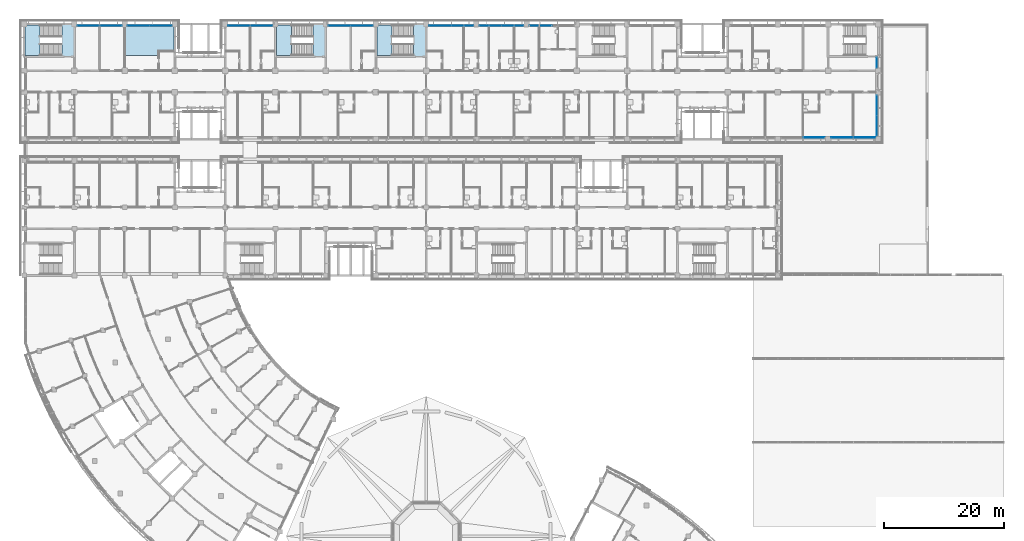
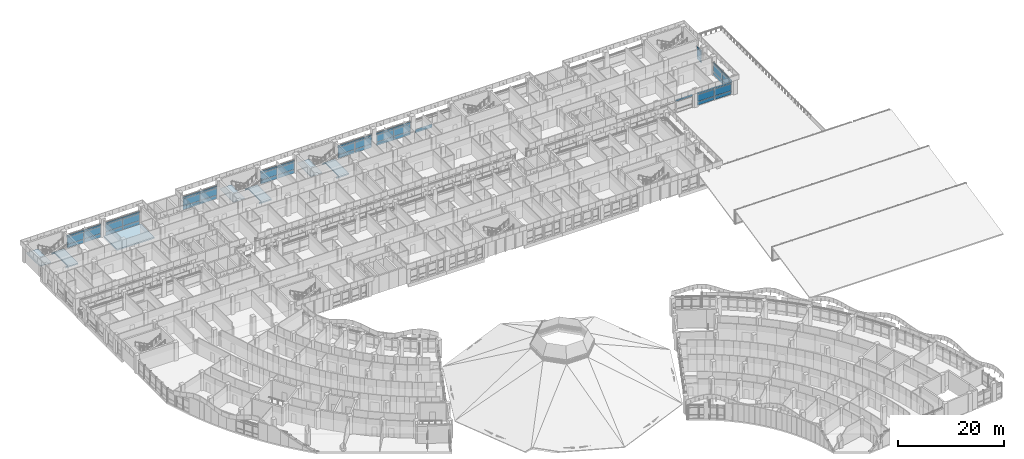
# One storey, part 61 of 137: 53 plates, 7 slabs, 14 elements without a shape of their own.
"""IFC4 building model written with IfcOpenShell, lengths in metres."""

import ifcopenshell
import ifcopenshell.guid

model = None  # the IFC model being written
_history = None  # IfcOwnerHistory: only IFC2X3 demands one
_inside = {}  # id of a spatial element -> (the spatial element, [elements in it])
_under = {}  # id of a project, library or spatial element -> (it, [spatial elements below it])
_declared = {}  # id of a project -> (the project, [libraries it declares])
_typed = {}  # id of a type object -> (the type object, [elements of that type])
_made_of = {}  # id of a material, layer set ... -> (it, [elements and type objects made of it])


def new_model(schema):
    """Start an empty IFC model of exactly this schema.

    Asked for "IFC4X3", IfcOpenShell would pick the latest addendum, in which some entities
    have other attributes; the version numbers below select the first issue.
    IFC2X3 requires an IfcOwnerHistory on every rooted entity: one is made here for all.
    """
    global model, _history
    if schema == "IFC4X3":
        model = ifcopenshell.file(schema_version=(4, 3, 0, 0))
    else:
        model = ifcopenshell.file(schema=schema)
    _inside.clear()
    _under.clear()
    _declared.clear()
    _typed.clear()
    _made_of.clear()
    _history = None
    if model.schema == "IFC2X3":
        org = make("IfcOrganization", Name="unknown")
        user = make(
            "IfcPersonAndOrganization",
            ThePerson=make("IfcPerson", FamilyName="unknown"),
            TheOrganization=org,
        )
        app = make(
            "IfcApplication",
            ApplicationDeveloper=org,
            Version="unknown",
            ApplicationFullName="unknown",
            ApplicationIdentifier="unknown",
        )
        _history = make(
            "IfcOwnerHistory",
            OwningUser=user,
            OwningApplication=app,
            ChangeAction="ADDED",
            CreationDate=0,
        )
    return model


def make(cls, **values):
    """One entity of the class cls with the attributes given. An attribute that is None is left unset."""
    return model.create_entity(
        cls, **{name: value for name, value in values.items() if value is not None}
    )


def rooted(cls, **values):
    """An entity with a GlobalId (a new one), such as an element, a storey or a relation."""
    return make(cls, GlobalId=ifcopenshell.guid.new(), OwnerHistory=_history, **values)


def si_unit(unit_type, name, prefix=None):
    """IfcSIUnit, for example si_unit("LENGTHUNIT", "METRE", prefix="MILLI")."""
    return make("IfcSIUnit", UnitType=unit_type, Prefix=prefix, Name=name)


def assignment(units):
    """IfcUnitAssignment: the units of a project."""
    return None if units is None else make("IfcUnitAssignment", Units=units)


def point(xyz):
    """IfcCartesianPoint."""
    return None if xyz is None else make("IfcCartesianPoint", Coordinates=xyz)


def direction(xyz):
    """IfcDirection."""
    return None if xyz is None else make("IfcDirection", DirectionRatios=xyz)


def frame(location, z_axis=None, x_axis=None):
    """IfcAxis2Placement3D, a coordinate frame: its origin and axes. An axis left out is left unset."""
    return make(
        "IfcAxis2Placement3D",
        Location=point(location),
        Axis=direction(z_axis),
        RefDirection=direction(x_axis),
    )


def frame_2d(location, x_axis=None):
    """IfcAxis2Placement2D, a coordinate frame in the plane: its origin and x axis."""
    return make(
        "IfcAxis2Placement2D", Location=point(location), RefDirection=direction(x_axis)
    )


def origin():
    """The frame at (0, 0, 0) with its axes left unset."""
    return frame((0.0, 0.0, 0.0))


def origin_2d():
    """The frame at (0, 0) in the plane with its x axis left unset."""
    return frame_2d((0.0, 0.0))


def place(relative_to, where):
    """IfcLocalPlacement: puts the frame where relative to a parent placement (None: the world)."""
    return make(
        "IfcLocalPlacement", PlacementRelTo=relative_to, RelativePlacement=where
    )


def context(
    kind, dimensions, precision=None, world=None, true_north=None, identifier=None
):
    """IfcGeometricRepresentationContext, for example the 3D "Model" context."""
    return make(
        "IfcGeometricRepresentationContext",
        ContextIdentifier=identifier,
        ContextType=kind,
        CoordinateSpaceDimension=dimensions,
        Precision=precision,
        WorldCoordinateSystem=world,
        TrueNorth=true_north,
    )


def subcontext(parent, identifier, kind, view, scale=None):
    """IfcGeometricRepresentationSubContext, for example "Body" below "Model"."""
    return make(
        "IfcGeometricRepresentationSubContext",
        ContextIdentifier=identifier,
        ContextType=kind,
        ParentContext=parent,
        TargetScale=scale,
        TargetView=view,
    )


def project(units=None, contexts=None):
    """IfcProject with its units and contexts."""
    return rooted(
        "IfcProject",
        Name="project",
        RepresentationContexts=contexts,
        UnitsInContext=assignment(units),
    )


def spatial(cls, under=None, at=None, **own):
    """A site, building, storey or space (cls), placed at a placement, below another one or the project."""
    s = rooted(cls, ObjectPlacement=at, **own)
    if under is not None:
        _under.setdefault(under.id(), (under, []))[1].append(s)
    return s


def polyline(points):
    """IfcPolyline through the points."""
    return make("IfcPolyline", Points=[point(p) for p in points])


def profile(cls, at=None, kind="AREA", **sizes):
    """A parametric profile (cls). Its sizes go by their IFC names, for example OverallWidth=200.0."""
    return make(cls, ProfileType=kind, Position=at, **sizes)


def rectangle(**sizes):
    """IfcRectangleProfileDef."""
    return profile("IfcRectangleProfileDef", **sizes)


def outline(outer, holes=None, kind="AREA"):
    """IfcArbitraryClosedProfileDef: a profile drawn as a closed curve; with holes, ...WithVoids."""
    if holes is None:
        return make("IfcArbitraryClosedProfileDef", ProfileType=kind, OuterCurve=outer)
    return make(
        "IfcArbitraryProfileDefWithVoids",
        ProfileType=kind,
        OuterCurve=outer,
        InnerCurves=holes,
    )


def extrude(swept, where, along, depth):
    """IfcExtrudedAreaSolid: the profile swept, set in the frame where, extruded along a direction by depth."""
    return make(
        "IfcExtrudedAreaSolid",
        SweptArea=swept,
        Position=where,
        ExtrudedDirection=direction(along),
        Depth=depth,
    )


def shape(context_of_items, identifier, shape_type, items):
    """IfcShapeRepresentation: the items that make up one representation, for example the "Body"."""
    return make(
        "IfcShapeRepresentation",
        ContextOfItems=context_of_items,
        RepresentationIdentifier=identifier,
        RepresentationType=shape_type,
        Items=items,
    )


def material(Name=None, Category=None):
    """IfcMaterial."""
    return make("IfcMaterial", Name=Name, Category=Category)


def layer(
    of_material, thickness, ventilated=None, Name=None, Category=None, Priority=None
):
    """IfcMaterialLayer: one layer of a wall or slab, of a material (None: an air gap)."""
    return make(
        "IfcMaterialLayer",
        Material=of_material,
        LayerThickness=thickness,
        IsVentilated=ventilated,
        Name=Name,
        Category=Category,
        Priority=Priority,
    )


def layer_set(layers, Name=None):
    """IfcMaterialLayerSet."""
    return make("IfcMaterialLayerSet", MaterialLayers=layers, LayerSetName=Name)


def made_of(thing, what):
    """Note that an element or type object is made of a material, layer set ...; save() writes the relation."""
    if what is not None:
        _made_of.setdefault(what.id(), (what, []))[1].append(thing)
    return thing


def type_object(cls, material=None, **own):
    """A type object (cls), such as IfcWallType, which elements share."""
    return made_of(rooted(cls, **own), material)


def element(
    cls,
    number,
    at=None,
    inside=None,
    cuts=None,
    type_object=None,
    material=None,
    context=None,
    identifier="Body",
    shape_type=None,
    held_by="IfcProductDefinitionShape",
    body=None,
    shapes=None,
    **own,
):
    """One element of the class cls, such as IfcWall. Its Tag is "e" and its number.

    at: its placement. inside: the storey or other place that contains it. cuts: it is an
    opening in that element (IfcRelVoidsElement). A single representation is given by context,
    identifier, shape_type and body (its items); several are given by shapes. held_by: the class
    of the entity that holds the representations. save() writes the other relations.
    """
    e = rooted(cls, Tag="e%d" % number, ObjectPlacement=at, **own)
    if body is not None:
        shapes = [shape(context, identifier, shape_type, body)]
    if shapes is not None:
        e.Representation = make(held_by, Representations=shapes)
    if inside is not None:
        _inside.setdefault(inside.id(), (inside, []))[1].append(e)
    if cuts is not None:
        rooted(
            "IfcRelVoidsElement", RelatingBuildingElement=cuts, RelatedOpeningElement=e
        )
    if type_object is not None:
        _typed.setdefault(type_object.id(), (type_object, []))[1].append(e)
    return made_of(e, material)


def aggregate(whole, parts):
    """IfcRelAggregates: a whole, such as a stair, and the parts it consists of."""
    return rooted("IfcRelAggregates", RelatingObject=whole, RelatedObjects=parts)


def save(model, path):
    """Write the relations noted so far, then the file.

    IfcRelAggregates (storeys below a building ...), IfcRelContainedInSpatialStructure (elements
    in a storey), IfcRelDefinesByType, IfcRelAssociatesMaterial and IfcRelDeclares: one each for
    every whole, place, type object, material and project.
    """
    for whole, parts in _under.values():
        aggregate(whole, parts)
    for where, things in _inside.values():
        rooted(
            "IfcRelContainedInSpatialStructure",
            RelatedElements=things,
            RelatingStructure=where,
        )
    for kind, things in _typed.values():
        rooted("IfcRelDefinesByType", RelatedObjects=things, RelatingType=kind)
    for what, things in _made_of.values():
        rooted("IfcRelAssociatesMaterial", RelatedObjects=things, RelatingMaterial=what)
    for by, libraries in _declared.values():
        rooted("IfcRelDeclares", RelatingContext=by, RelatedDefinitions=libraries)
    model.write(path)


model = new_model("IFC4")

# Units and contexts
model_context = context("Model", 3, precision=1e-05, world=origin(), true_north=direction((0.0, 1.0)))
body_context = subcontext(model_context, "Body", "Model", "MODEL_VIEW")
ifc_project = project(units=[si_unit("LENGTHUNIT", "METRE"), si_unit("AREAUNIT", "SQUARE_METRE"), si_unit("VOLUMEUNIT", "CUBIC_METRE"), si_unit("PLANEANGLEUNIT", "RADIAN"), si_unit("MASSUNIT", "GRAM", prefix="KILO")], contexts=[model_context])

# Site, building, storey
site_placement = place(None, origin())
site = spatial("IfcSite", under=ifc_project, at=site_placement, CompositionType="ELEMENT")
building_placement = place(site_placement, origin())
building = spatial("IfcBuilding", under=site, at=building_placement, Name="Bougainvillea Quay General Hospital", CompositionType="ELEMENT")
storey_placement = place(building_placement, frame((0.0, 0.0, 16.800048828125)))
storey = spatial("IfcBuildingStorey", under=building, at=storey_placement, Name="L03", CompositionType="ELEMENT", Elevation=16.800048828125)

# Curtain wall, plate
ifc_material_1 = material(Name="Aluminium curtain wall system, powder-coated glazed", Category="aluminium")
curtain_wall_type_1 = type_object("IfcCurtainWallType", Name="Unitised curtain wall CW-3730", PredefinedType="NOTDEFINED", material=ifc_material_1)
curtain_wall_1_placement = place(storey_placement, origin())
curtain_wall_1 = element("IfcCurtainWall", 1, at=curtain_wall_1_placement, inside=storey, type_object=curtain_wall_type_1, Name="CW-4200 01", PredefinedType="NOTDEFINED")
ifc_material_2 = material(Name="Insulated aluminium spandrel panel, white", Category="aluminium")
ifc_layer_1 = layer(ifc_material_2, 0.028076171875)
ifc_layer_set_1 = layer_set([ifc_layer_1], Name="Insulated aluminium spandrel panel, white")
plate_type_1 = type_object("IfcPlateType", Name="Insulated spandrel panel white 28", PredefinedType="CURTAIN_PANEL", material=ifc_layer_set_1)
plate_1_placement = place(storey_placement, frame((174.050048828125, 140.64990234375, 2.580078125), z_axis=(0.0, 0.0, 1.0), x_axis=(1.0, 0.0, 0.0)))
plate_1 = element("IfcPlate", 2, at=plate_1_placement, type_object=plate_type_1, Name="CW-4200 spandrel panel 2.3", PredefinedType="CURTAIN_PANEL", context=body_context, shape_type="SweptSolid", body=[
    extrude(rectangle(XDim=3.639892578125, YDim=0.028076171875, at=origin_2d()), origin(), (0.0, 0.0, 1.0), 0.409912109375),
])
aggregate(curtain_wall_1, [plate_1])

# Curtain wall, plates
curtain_wall_2_placement = place(storey_placement, origin())
curtain_wall_2 = element("IfcCurtainWall", 3, at=curtain_wall_2_placement, inside=storey, type_object=curtain_wall_type_1, Name="CW-4200 02", PredefinedType="NOTDEFINED")
plate_2_placement = place(storey_placement, frame((178.75, 140.64990234375, 0.059814453125), z_axis=(0.0, 0.0, 1.0), x_axis=(1.0, 0.0, 0.0)))
plate_2 = element("IfcPlate", 4, at=plate_2_placement, type_object=plate_type_1, Name="CW-4200 spandrel panel 1.1", PredefinedType="CURTAIN_PANEL", context=body_context, shape_type="SweptSolid", body=[
    extrude(rectangle(XDim=3.639892578125, YDim=0.028076171875, at=origin_2d()), origin(), (0.0, 0.0, 1.0), 0.81005859375),
])
plate_3_placement = place(storey_placement, frame((178.75, 140.64990234375, 2.580078125), z_axis=(0.0, 0.0, 1.0), x_axis=(1.0, 0.0, 0.0)))
plate_3 = element("IfcPlate", 5, at=plate_3_placement, type_object=plate_type_1, Name="CW-4200 spandrel panel 1.3", PredefinedType="CURTAIN_PANEL", context=body_context, shape_type="SweptSolid", body=[
    extrude(rectangle(XDim=3.639892578125, YDim=0.028076171875, at=origin_2d()), origin(), (0.0, 0.0, 1.0), 0.409912109375),
])
plate_4_placement = place(storey_placement, frame((182.449951171875, 140.64990234375, 0.059814453125), z_axis=(0.0, 0.0, 1.0), x_axis=(1.0, 0.0, 0.0)))
plate_4 = element("IfcPlate", 6, at=plate_4_placement, type_object=plate_type_1, Name="CW-4200 spandrel panel 2.1", PredefinedType="CURTAIN_PANEL", context=body_context, shape_type="SweptSolid", body=[
    extrude(rectangle(XDim=3.639892578125, YDim=0.028076171875, at=origin_2d()), origin(), (0.0, 0.0, 1.0), 0.81005859375),
])
plate_5_placement = place(storey_placement, frame((182.449951171875, 140.64990234375, 2.580078125), z_axis=(0.0, 0.0, 1.0), x_axis=(1.0, 0.0, 0.0)))
plate_5 = element("IfcPlate", 7, at=plate_5_placement, type_object=plate_type_1, Name="CW-4200 spandrel panel 2.3", PredefinedType="CURTAIN_PANEL", context=body_context, shape_type="SweptSolid", body=[
    extrude(rectangle(XDim=3.639892578125, YDim=0.028076171875, at=origin_2d()), origin(), (0.0, 0.0, 1.0), 0.409912109375),
])

curtain_wall_type_2 = type_object("IfcCurtainWallType", Name="Unitised curtain wall CW-3430", PredefinedType="NOTDEFINED", material=ifc_material_1)
curtain_wall_3_placement = place(storey_placement, origin())
curtain_wall_3 = element("IfcCurtainWall", 8, at=curtain_wall_3_placement, inside=storey, type_object=curtain_wall_type_2, Name="CW-4200 00", PredefinedType="NOTDEFINED")
plate_6_placement = place(storey_placement, frame((184.550048828125, 142.60009765625, 0.059814453125), z_axis=(0.0, 0.0, 1.0), x_axis=(0.0, 1.0, 0.0)))
plate_6 = element("IfcPlate", 9, at=plate_6_placement, type_object=plate_type_1, Name="CW-4200 spandrel panel 1.1", PredefinedType="CURTAIN_PANEL", context=body_context, shape_type="SweptSolid", body=[
    extrude(rectangle(XDim=3.340087890625, YDim=0.028076171875, at=origin_2d()), origin(), (0.0, 0.0, 1.0), 0.81005859375),
])
plate_7_placement = place(storey_placement, frame((184.550048828125, 142.60009765625, 2.580078125), z_axis=(0.0, 0.0, 1.0), x_axis=(0.0, 1.0, 0.0)))
plate_7 = element("IfcPlate", 10, at=plate_7_placement, type_object=plate_type_1, Name="CW-4200 spandrel panel 1.3", PredefinedType="CURTAIN_PANEL", context=body_context, shape_type="SweptSolid", body=[
    extrude(rectangle(XDim=3.340087890625, YDim=0.028076171875, at=origin_2d()), origin(), (0.0, 0.0, 1.0), 0.409912109375),
])
plate_8_placement = place(storey_placement, frame((184.550048828125, 146.0, 0.059814453125), z_axis=(0.0, 0.0, 1.0), x_axis=(0.0, 1.0, 0.0)))
plate_8 = element("IfcPlate", 11, at=plate_8_placement, type_object=plate_type_1, Name="CW-4200 spandrel panel 2.1", PredefinedType="CURTAIN_PANEL", context=body_context, shape_type="SweptSolid", body=[
    extrude(rectangle(XDim=3.340087890625, YDim=0.028076171875, at=origin_2d()), origin(), (0.0, 0.0, 1.0), 0.81005859375),
])
plate_9_placement = place(storey_placement, frame((184.550048828125, 146.0, 2.580078125), z_axis=(0.0, 0.0, 1.0), x_axis=(0.0, 1.0, 0.0)))
plate_9 = element("IfcPlate", 12, at=plate_9_placement, type_object=plate_type_1, Name="CW-4200 spandrel panel 2.3", PredefinedType="CURTAIN_PANEL", context=body_context, shape_type="SweptSolid", body=[
    extrude(rectangle(XDim=3.340087890625, YDim=0.028076171875, at=origin_2d()), origin(), (0.0, 0.0, 1.0), 0.409912109375),
])

curtain_wall_type_3 = type_object("IfcCurtainWallType", Name="Unitised curtain wall CW-1755", PredefinedType="NOTDEFINED", material=ifc_material_1)
curtain_wall_4_placement = place(storey_placement, origin())
curtain_wall_4 = element("IfcCurtainWall", 13, at=curtain_wall_4_placement, inside=storey, type_object=curtain_wall_type_3, Name="CW-4200 02", PredefinedType="NOTDEFINED")
plate_10_placement = place(storey_placement, frame((184.550048828125, 153.1474609375, 0.059814453125), z_axis=(0.0, 0.0, 1.0), x_axis=(0.0, 1.0, 0.0)))
plate_10 = element("IfcPlate", 14, at=plate_10_placement, type_object=plate_type_1, Name="CW-4200 spandrel panel 1.1", PredefinedType="CURTAIN_PANEL", context=body_context, shape_type="SweptSolid", body=[
    extrude(rectangle(XDim=1.635009765625, YDim=0.028076171875, at=origin_2d()), origin(), (0.0, 0.0, 1.0), 0.81005859375),
])
plate_11_placement = place(storey_placement, frame((184.550048828125, 153.1474609375, 2.580078125), z_axis=(0.0, 0.0, 1.0), x_axis=(0.0, 1.0, 0.0)))
plate_11 = element("IfcPlate", 15, at=plate_11_placement, type_object=plate_type_1, Name="CW-4200 spandrel panel 1.3", PredefinedType="CURTAIN_PANEL", context=body_context, shape_type="SweptSolid", body=[
    extrude(rectangle(XDim=1.635009765625, YDim=0.028076171875, at=origin_2d()), origin(), (0.0, 0.0, 1.0), 0.409912109375),
])

# Curtain wall, plate
curtain_wall_5_placement = place(storey_placement, origin())
curtain_wall_5 = element("IfcCurtainWall", 16, at=curtain_wall_5_placement, inside=storey, type_object=curtain_wall_type_1, Name="CW-4200 01", PredefinedType="NOTDEFINED")
plate_12_placement = place(storey_placement, frame((128.35009765625, 159.35009765625, 0.059814453125), z_axis=(0.0, 0.0, 1.0), x_axis=(-1.0, 0.0, 0.0)))
plate_12 = element("IfcPlate", 17, at=plate_12_placement, type_object=plate_type_1, Name="CW-4200 spandrel panel 2.1", PredefinedType="CURTAIN_PANEL", context=body_context, shape_type="SweptSolid", body=[
    extrude(rectangle(XDim=3.639892578125, YDim=0.028076171875, at=origin_2d()), origin(), (0.0, 0.0, 1.0), 0.81005859375),
])
aggregate(curtain_wall_5, [plate_12])

# Curtain wall, plates
curtain_wall_6_placement = place(storey_placement, origin())
curtain_wall_6 = element("IfcCurtainWall", 18, at=curtain_wall_6_placement, inside=storey, type_object=curtain_wall_type_1, Name="CW-4200 02", PredefinedType="NOTDEFINED")
plate_13_placement = place(storey_placement, frame((123.64990234375, 159.35009765625, 0.059814453125), z_axis=(0.0, 0.0, 1.0), x_axis=(-1.0, 0.0, 0.0)))
plate_13 = element("IfcPlate", 19, at=plate_13_placement, type_object=plate_type_1, Name="CW-4200 spandrel panel 1.1", PredefinedType="CURTAIN_PANEL", context=body_context, shape_type="SweptSolid", body=[
    extrude(rectangle(XDim=3.639892578125, YDim=0.028076171875, at=origin_2d()), origin(), (0.0, 0.0, 1.0), 0.81005859375),
])
plate_14_placement = place(storey_placement, frame((123.64990234375, 159.35009765625, 2.580078125), z_axis=(0.0, 0.0, 1.0), x_axis=(-1.0, 0.0, 0.0)))
plate_14 = element("IfcPlate", 20, at=plate_14_placement, type_object=plate_type_1, Name="CW-4200 spandrel panel 1.3", PredefinedType="CURTAIN_PANEL", context=body_context, shape_type="SweptSolid", body=[
    extrude(rectangle(XDim=3.639892578125, YDim=0.028076171875, at=origin_2d()), origin(), (0.0, 0.0, 1.0), 0.409912109375),
])
plate_15_placement = place(storey_placement, frame((119.949951171875, 159.35009765625, 0.059814453125), z_axis=(0.0, 0.0, 1.0), x_axis=(-1.0, 0.0, 0.0)))
plate_15 = element("IfcPlate", 21, at=plate_15_placement, type_object=plate_type_1, Name="CW-4200 spandrel panel 2.1", PredefinedType="CURTAIN_PANEL", context=body_context, shape_type="SweptSolid", body=[
    extrude(rectangle(XDim=3.639892578125, YDim=0.028076171875, at=origin_2d()), origin(), (0.0, 0.0, 1.0), 0.81005859375),
])
plate_16_placement = place(storey_placement, frame((119.949951171875, 159.35009765625, 2.580078125), z_axis=(0.0, 0.0, 1.0), x_axis=(-1.0, 0.0, 0.0)))
plate_16 = element("IfcPlate", 22, at=plate_16_placement, type_object=plate_type_1, Name="CW-4200 spandrel panel 2.3", PredefinedType="CURTAIN_PANEL", context=body_context, shape_type="SweptSolid", body=[
    extrude(rectangle(XDim=3.639892578125, YDim=0.028076171875, at=origin_2d()), origin(), (0.0, 0.0, 1.0), 0.409912109375),
])

curtain_wall_7_placement = place(storey_placement, origin())
curtain_wall_7 = element("IfcCurtainWall", 23, at=curtain_wall_7_placement, inside=storey, type_object=curtain_wall_type_1, Name="CW-4200 03", PredefinedType="NOTDEFINED")
plate_17_placement = place(storey_placement, frame((115.25, 159.35009765625, 0.059814453125), z_axis=(0.0, 0.0, 1.0), x_axis=(-1.0, 0.0, 0.0)))
plate_17 = element("IfcPlate", 24, at=plate_17_placement, type_object=plate_type_1, Name="CW-4200 spandrel panel 1.1", PredefinedType="CURTAIN_PANEL", context=body_context, shape_type="SweptSolid", body=[
    extrude(rectangle(XDim=3.639892578125, YDim=0.028076171875, at=origin_2d()), origin(), (0.0, 0.0, 1.0), 0.81005859375),
])
plate_18_placement = place(storey_placement, frame((115.25, 159.35009765625, 2.580078125), z_axis=(0.0, 0.0, 1.0), x_axis=(-1.0, 0.0, 0.0)))
plate_18 = element("IfcPlate", 25, at=plate_18_placement, type_object=plate_type_1, Name="CW-4200 spandrel panel 1.3", PredefinedType="CURTAIN_PANEL", context=body_context, shape_type="SweptSolid", body=[
    extrude(rectangle(XDim=3.639892578125, YDim=0.028076171875, at=origin_2d()), origin(), (0.0, 0.0, 1.0), 0.409912109375),
])
plate_19_placement = place(storey_placement, frame((111.550048828125, 159.35009765625, 0.059814453125), z_axis=(0.0, 0.0, 1.0), x_axis=(-1.0, 0.0, 0.0)))
plate_19 = element("IfcPlate", 26, at=plate_19_placement, type_object=plate_type_1, Name="CW-4200 spandrel panel 2.1", PredefinedType="CURTAIN_PANEL", context=body_context, shape_type="SweptSolid", body=[
    extrude(rectangle(XDim=3.639892578125, YDim=0.028076171875, at=origin_2d()), origin(), (0.0, 0.0, 1.0), 0.81005859375),
])
plate_20_placement = place(storey_placement, frame((111.550048828125, 159.35009765625, 2.580078125), z_axis=(0.0, 0.0, 1.0), x_axis=(-1.0, 0.0, 0.0)))
plate_20 = element("IfcPlate", 27, at=plate_20_placement, type_object=plate_type_1, Name="CW-4200 spandrel panel 2.3", PredefinedType="CURTAIN_PANEL", context=body_context, shape_type="SweptSolid", body=[
    extrude(rectangle(XDim=3.639892578125, YDim=0.028076171875, at=origin_2d()), origin(), (0.0, 0.0, 1.0), 0.409912109375),
])

curtain_wall_8_placement = place(storey_placement, origin())
curtain_wall_8 = element("IfcCurtainWall", 28, at=curtain_wall_8_placement, inside=storey, type_object=curtain_wall_type_1, Name="CW-4200 04", PredefinedType="NOTDEFINED")
plate_21_placement = place(storey_placement, frame((98.449951171875, 159.35009765625, 0.059814453125), z_axis=(0.0, 0.0, 1.0), x_axis=(-1.0, 0.0, 0.0)))
plate_21 = element("IfcPlate", 29, at=plate_21_placement, type_object=plate_type_1, Name="CW-4200 spandrel panel 1.1", PredefinedType="CURTAIN_PANEL", context=body_context, shape_type="SweptSolid", body=[
    extrude(rectangle(XDim=3.639892578125, YDim=0.028076171875, at=origin_2d()), origin(), (0.0, 0.0, 1.0), 0.81005859375),
])
plate_22_placement = place(storey_placement, frame((98.449951171875, 159.35009765625, 2.580078125), z_axis=(0.0, 0.0, 1.0), x_axis=(-1.0, 0.0, 0.0)))
plate_22 = element("IfcPlate", 30, at=plate_22_placement, type_object=plate_type_1, Name="CW-4200 spandrel panel 1.3", PredefinedType="CURTAIN_PANEL", context=body_context, shape_type="SweptSolid", body=[
    extrude(rectangle(XDim=3.639892578125, YDim=0.028076171875, at=origin_2d()), origin(), (0.0, 0.0, 1.0), 0.409912109375),
])
plate_23_placement = place(storey_placement, frame((94.75, 159.35009765625, 0.059814453125), z_axis=(0.0, 0.0, 1.0), x_axis=(-1.0, 0.0, 0.0)))
plate_23 = element("IfcPlate", 31, at=plate_23_placement, type_object=plate_type_1, Name="CW-4200 spandrel panel 2.1", PredefinedType="CURTAIN_PANEL", context=body_context, shape_type="SweptSolid", body=[
    extrude(rectangle(XDim=3.639892578125, YDim=0.028076171875, at=origin_2d()), origin(), (0.0, 0.0, 1.0), 0.81005859375),
])
plate_24_placement = place(storey_placement, frame((94.75, 159.35009765625, 2.580078125), z_axis=(0.0, 0.0, 1.0), x_axis=(-1.0, 0.0, 0.0)))
plate_24 = element("IfcPlate", 32, at=plate_24_placement, type_object=plate_type_1, Name="CW-4200 spandrel panel 2.3", PredefinedType="CURTAIN_PANEL", context=body_context, shape_type="SweptSolid", body=[
    extrude(rectangle(XDim=3.639892578125, YDim=0.028076171875, at=origin_2d()), origin(), (0.0, 0.0, 1.0), 0.409912109375),
])

curtain_wall_9_placement = place(storey_placement, origin())
curtain_wall_9 = element("IfcCurtainWall", 33, at=curtain_wall_9_placement, inside=storey, type_object=curtain_wall_type_1, Name="CW-4200 05", PredefinedType="NOTDEFINED")
plate_25_placement = place(storey_placement, frame((81.64990234375, 159.35009765625, 0.059814453125), z_axis=(0.0, 0.0, 1.0), x_axis=(-1.0, 0.0, 0.0)))
plate_25 = element("IfcPlate", 34, at=plate_25_placement, type_object=plate_type_1, Name="CW-4200 spandrel panel 1.1", PredefinedType="CURTAIN_PANEL", context=body_context, shape_type="SweptSolid", body=[
    extrude(rectangle(XDim=3.639892578125, YDim=0.028076171875, at=origin_2d()), origin(), (0.0, 0.0, 1.0), 0.81005859375),
])
plate_26_placement = place(storey_placement, frame((81.64990234375, 159.35009765625, 2.580078125), z_axis=(0.0, 0.0, 1.0), x_axis=(-1.0, 0.0, 0.0)))
plate_26 = element("IfcPlate", 35, at=plate_26_placement, type_object=plate_type_1, Name="CW-4200 spandrel panel 1.3", PredefinedType="CURTAIN_PANEL", context=body_context, shape_type="SweptSolid", body=[
    extrude(rectangle(XDim=3.639892578125, YDim=0.028076171875, at=origin_2d()), origin(), (0.0, 0.0, 1.0), 0.409912109375),
])
plate_27_placement = place(storey_placement, frame((77.949951171875, 159.35009765625, 0.059814453125), z_axis=(0.0, 0.0, 1.0), x_axis=(-1.0, 0.0, 0.0)))
plate_27 = element("IfcPlate", 36, at=plate_27_placement, type_object=plate_type_1, Name="CW-4200 spandrel panel 2.1", PredefinedType="CURTAIN_PANEL", context=body_context, shape_type="SweptSolid", body=[
    extrude(rectangle(XDim=3.639892578125, YDim=0.028076171875, at=origin_2d()), origin(), (0.0, 0.0, 1.0), 0.81005859375),
])
plate_28_placement = place(storey_placement, frame((77.949951171875, 159.35009765625, 2.580078125), z_axis=(0.0, 0.0, 1.0), x_axis=(-1.0, 0.0, 0.0)))
plate_28 = element("IfcPlate", 37, at=plate_28_placement, type_object=plate_type_1, Name="CW-4200 spandrel panel 2.3", PredefinedType="CURTAIN_PANEL", context=body_context, shape_type="SweptSolid", body=[
    extrude(rectangle(XDim=3.639892578125, YDim=0.028076171875, at=origin_2d()), origin(), (0.0, 0.0, 1.0), 0.409912109375),
])

curtain_wall_10_placement = place(storey_placement, origin())
curtain_wall_10 = element("IfcCurtainWall", 38, at=curtain_wall_10_placement, inside=storey, type_object=curtain_wall_type_1, Name="CW-4200 00", PredefinedType="NOTDEFINED")
plate_29_placement = place(storey_placement, frame((64.85009765625, 159.35009765625, 0.059814453125), z_axis=(0.0, 0.0, 1.0), x_axis=(-1.0, 0.0, 0.0)))
plate_29 = element("IfcPlate", 39, at=plate_29_placement, type_object=plate_type_1, Name="CW-4200 spandrel panel 1.1", PredefinedType="CURTAIN_PANEL", context=body_context, shape_type="SweptSolid", body=[
    extrude(rectangle(XDim=3.639892578125, YDim=0.028076171875, at=origin_2d()), origin(), (0.0, 0.0, 1.0), 0.81005859375),
])
plate_30_placement = place(storey_placement, frame((64.85009765625, 159.35009765625, 2.580078125), z_axis=(0.0, 0.0, 1.0), x_axis=(-1.0, 0.0, 0.0)))
plate_30 = element("IfcPlate", 40, at=plate_30_placement, type_object=plate_type_1, Name="CW-4200 spandrel panel 1.3", PredefinedType="CURTAIN_PANEL", context=body_context, shape_type="SweptSolid", body=[
    extrude(rectangle(XDim=3.639892578125, YDim=0.028076171875, at=origin_2d()), origin(), (0.0, 0.0, 1.0), 0.409912109375),
])
plate_31_placement = place(storey_placement, frame((61.14990234375, 159.35009765625, 0.059814453125), z_axis=(0.0, 0.0, 1.0), x_axis=(-1.0, 0.0, 0.0)))
plate_31 = element("IfcPlate", 41, at=plate_31_placement, type_object=plate_type_1, Name="CW-4200 spandrel panel 2.1", PredefinedType="CURTAIN_PANEL", context=body_context, shape_type="SweptSolid", body=[
    extrude(rectangle(XDim=3.639892578125, YDim=0.028076171875, at=origin_2d()), origin(), (0.0, 0.0, 1.0), 0.81005859375),
])
plate_32_placement = place(storey_placement, frame((61.14990234375, 159.35009765625, 2.580078125), z_axis=(0.0, 0.0, 1.0), x_axis=(-1.0, 0.0, 0.0)))
plate_32 = element("IfcPlate", 42, at=plate_32_placement, type_object=plate_type_1, Name="CW-4200 spandrel panel 2.3", PredefinedType="CURTAIN_PANEL", context=body_context, shape_type="SweptSolid", body=[
    extrude(rectangle(XDim=3.639892578125, YDim=0.028076171875, at=origin_2d()), origin(), (0.0, 0.0, 1.0), 0.409912109375),
])

curtain_wall_11_placement = place(storey_placement, origin())
curtain_wall_11 = element("IfcCurtainWall", 43, at=curtain_wall_11_placement, inside=storey, type_object=curtain_wall_type_1, Name="CW-4200 01", PredefinedType="NOTDEFINED")
plate_33_placement = place(storey_placement, frame((56.449951171875, 159.35009765625, 0.059814453125), z_axis=(0.0, 0.0, 1.0), x_axis=(-1.0, 0.0, 0.0)))
plate_33 = element("IfcPlate", 44, at=plate_33_placement, type_object=plate_type_1, Name="CW-4200 spandrel panel 1.1", PredefinedType="CURTAIN_PANEL", context=body_context, shape_type="SweptSolid", body=[
    extrude(rectangle(XDim=3.639892578125, YDim=0.028076171875, at=origin_2d()), origin(), (0.0, 0.0, 1.0), 0.81005859375),
])
plate_34_placement = place(storey_placement, frame((56.449951171875, 159.35009765625, 2.580078125), z_axis=(0.0, 0.0, 1.0), x_axis=(-1.0, 0.0, 0.0)))
plate_34 = element("IfcPlate", 45, at=plate_34_placement, type_object=plate_type_1, Name="CW-4200 spandrel panel 1.3", PredefinedType="CURTAIN_PANEL", context=body_context, shape_type="SweptSolid", body=[
    extrude(rectangle(XDim=3.639892578125, YDim=0.028076171875, at=origin_2d()), origin(), (0.0, 0.0, 1.0), 0.409912109375),
])
plate_35_placement = place(storey_placement, frame((52.75, 159.35009765625, 0.059814453125), z_axis=(0.0, 0.0, 1.0), x_axis=(-1.0, 0.0, 0.0)))
plate_35 = element("IfcPlate", 46, at=plate_35_placement, type_object=plate_type_1, Name="CW-4200 spandrel panel 2.1", PredefinedType="CURTAIN_PANEL", context=body_context, shape_type="SweptSolid", body=[
    extrude(rectangle(XDim=3.639892578125, YDim=0.028076171875, at=origin_2d()), origin(), (0.0, 0.0, 1.0), 0.81005859375),
])
plate_36_placement = place(storey_placement, frame((52.75, 159.35009765625, 2.580078125), z_axis=(0.0, 0.0, 1.0), x_axis=(-1.0, 0.0, 0.0)))
plate_36 = element("IfcPlate", 47, at=plate_36_placement, type_object=plate_type_1, Name="CW-4200 spandrel panel 2.3", PredefinedType="CURTAIN_PANEL", context=body_context, shape_type="SweptSolid", body=[
    extrude(rectangle(XDim=3.639892578125, YDim=0.028076171875, at=origin_2d()), origin(), (0.0, 0.0, 1.0), 0.409912109375),
])

# Plate
ifc_material_3 = material(Name="Low-e laminated glass, solar control", Category="glass")
ifc_layer_2 = layer(ifc_material_3, 0.028076171875)
ifc_layer_set_2 = layer_set([ifc_layer_2], Name="Low-e laminated glass, solar control")
plate_type_2 = type_object("IfcPlateType", Name="Low-e laminated vision glass 28", PredefinedType="CURTAIN_PANEL", material=ifc_layer_set_2)
plate_37_placement = place(storey_placement, frame((178.75, 140.64990234375, 0.9296875), z_axis=(0.0, 0.0, 1.0), x_axis=(1.0, 0.0, 0.0)))
plate_37 = element("IfcPlate", 48, at=plate_37_placement, type_object=plate_type_2, Name="CW-4200 vision glass panel 1.2", PredefinedType="CURTAIN_PANEL", context=body_context, shape_type="SweptSolid", body=[
    extrude(rectangle(XDim=3.639892578125, YDim=0.028076171875, at=origin_2d()), origin(), (0.0, 0.0, 1.0), 1.590087890625),
])

plate_38_placement = place(storey_placement, frame((182.449951171875, 140.64990234375, 0.9296875), z_axis=(0.0, 0.0, 1.0), x_axis=(1.0, 0.0, 0.0)))
plate_38 = element("IfcPlate", 49, at=plate_38_placement, type_object=plate_type_2, Name="CW-4200 vision glass panel 2.2", PredefinedType="CURTAIN_PANEL", context=body_context, shape_type="SweptSolid", body=[
    extrude(rectangle(XDim=3.639892578125, YDim=0.028076171875, at=origin_2d()), origin(), (0.0, 0.0, 1.0), 1.590087890625),
])

aggregate(curtain_wall_2, [plate_2, plate_37, plate_3, plate_4, plate_38, plate_5])

plate_39_placement = place(storey_placement, frame((184.550048828125, 142.60009765625, 0.9296875), z_axis=(0.0, 0.0, 1.0), x_axis=(0.0, 1.0, 0.0)))
plate_39 = element("IfcPlate", 50, at=plate_39_placement, type_object=plate_type_2, Name="CW-4200 vision glass panel 1.2", PredefinedType="CURTAIN_PANEL", context=body_context, shape_type="SweptSolid", body=[
    extrude(rectangle(XDim=3.340087890625, YDim=0.028076171875, at=origin_2d()), origin(), (0.0, 0.0, 1.0), 1.590087890625),
])

plate_40_placement = place(storey_placement, frame((184.550048828125, 146.0, 0.9296875), z_axis=(0.0, 0.0, 1.0), x_axis=(0.0, 1.0, 0.0)))
plate_40 = element("IfcPlate", 51, at=plate_40_placement, type_object=plate_type_2, Name="CW-4200 vision glass panel 2.2", PredefinedType="CURTAIN_PANEL", context=body_context, shape_type="SweptSolid", body=[
    extrude(rectangle(XDim=3.340087890625, YDim=0.028076171875, at=origin_2d()), origin(), (0.0, 0.0, 1.0), 1.590087890625),
])

aggregate(curtain_wall_3, [plate_6, plate_39, plate_7, plate_8, plate_40, plate_9])

plate_41_placement = place(storey_placement, frame((184.550048828125, 153.1474609375, 0.9296875), z_axis=(0.0, 0.0, 1.0), x_axis=(0.0, 1.0, 0.0)))
plate_41 = element("IfcPlate", 52, at=plate_41_placement, type_object=plate_type_2, Name="CW-4200 vision glass panel 1.2", PredefinedType="CURTAIN_PANEL", context=body_context, shape_type="SweptSolid", body=[
    extrude(rectangle(XDim=1.635009765625, YDim=0.028076171875, at=origin_2d()), origin(), (0.0, 0.0, 1.0), 1.590087890625),
])

aggregate(curtain_wall_4, [plate_10, plate_41, plate_11])

plate_42_placement = place(storey_placement, frame((123.64990234375, 159.35009765625, 0.9296875), z_axis=(0.0, 0.0, 1.0), x_axis=(-1.0, 0.0, 0.0)))
plate_42 = element("IfcPlate", 53, at=plate_42_placement, type_object=plate_type_2, Name="CW-4200 vision glass panel 1.2", PredefinedType="CURTAIN_PANEL", context=body_context, shape_type="SweptSolid", body=[
    extrude(rectangle(XDim=3.639892578125, YDim=0.028076171875, at=origin_2d()), origin(), (0.0, 0.0, 1.0), 1.590087890625),
])

plate_43_placement = place(storey_placement, frame((119.949951171875, 159.35009765625, 0.9296875), z_axis=(0.0, 0.0, 1.0), x_axis=(-1.0, 0.0, 0.0)))
plate_43 = element("IfcPlate", 54, at=plate_43_placement, type_object=plate_type_2, Name="CW-4200 vision glass panel 2.2", PredefinedType="CURTAIN_PANEL", context=body_context, shape_type="SweptSolid", body=[
    extrude(rectangle(XDim=3.639892578125, YDim=0.028076171875, at=origin_2d()), origin(), (0.0, 0.0, 1.0), 1.590087890625),
])

aggregate(curtain_wall_6, [plate_13, plate_42, plate_14, plate_15, plate_43, plate_16])

plate_44_placement = place(storey_placement, frame((115.25, 159.35009765625, 0.9296875), z_axis=(0.0, 0.0, 1.0), x_axis=(-1.0, 0.0, 0.0)))
plate_44 = element("IfcPlate", 55, at=plate_44_placement, type_object=plate_type_2, Name="CW-4200 vision glass panel 1.2", PredefinedType="CURTAIN_PANEL", context=body_context, shape_type="SweptSolid", body=[
    extrude(rectangle(XDim=3.639892578125, YDim=0.028076171875, at=origin_2d()), origin(), (0.0, 0.0, 1.0), 1.590087890625),
])

plate_45_placement = place(storey_placement, frame((111.550048828125, 159.35009765625, 0.9296875), z_axis=(0.0, 0.0, 1.0), x_axis=(-1.0, 0.0, 0.0)))
plate_45 = element("IfcPlate", 56, at=plate_45_placement, type_object=plate_type_2, Name="CW-4200 vision glass panel 2.2", PredefinedType="CURTAIN_PANEL", context=body_context, shape_type="SweptSolid", body=[
    extrude(rectangle(XDim=3.639892578125, YDim=0.028076171875, at=origin_2d()), origin(), (0.0, 0.0, 1.0), 1.590087890625),
])

aggregate(curtain_wall_7, [plate_17, plate_44, plate_18, plate_19, plate_45, plate_20])

plate_46_placement = place(storey_placement, frame((98.449951171875, 159.35009765625, 0.9296875), z_axis=(0.0, 0.0, 1.0), x_axis=(-1.0, 0.0, 0.0)))
plate_46 = element("IfcPlate", 57, at=plate_46_placement, type_object=plate_type_2, Name="CW-4200 vision glass panel 1.2", PredefinedType="CURTAIN_PANEL", context=body_context, shape_type="SweptSolid", body=[
    extrude(rectangle(XDim=3.639892578125, YDim=0.028076171875, at=origin_2d()), origin(), (0.0, 0.0, 1.0), 1.590087890625),
])

plate_47_placement = place(storey_placement, frame((94.75, 159.35009765625, 0.9296875), z_axis=(0.0, 0.0, 1.0), x_axis=(-1.0, 0.0, 0.0)))
plate_47 = element("IfcPlate", 58, at=plate_47_placement, type_object=plate_type_2, Name="CW-4200 vision glass panel 2.2", PredefinedType="CURTAIN_PANEL", context=body_context, shape_type="SweptSolid", body=[
    extrude(rectangle(XDim=3.639892578125, YDim=0.028076171875, at=origin_2d()), origin(), (0.0, 0.0, 1.0), 1.590087890625),
])

aggregate(curtain_wall_8, [plate_21, plate_46, plate_22, plate_23, plate_47, plate_24])

plate_48_placement = place(storey_placement, frame((81.64990234375, 159.35009765625, 0.9296875), z_axis=(0.0, 0.0, 1.0), x_axis=(-1.0, 0.0, 0.0)))
plate_48 = element("IfcPlate", 59, at=plate_48_placement, type_object=plate_type_2, Name="CW-4200 vision glass panel 1.2", PredefinedType="CURTAIN_PANEL", context=body_context, shape_type="SweptSolid", body=[
    extrude(rectangle(XDim=3.639892578125, YDim=0.028076171875, at=origin_2d()), origin(), (0.0, 0.0, 1.0), 1.590087890625),
])

plate_49_placement = place(storey_placement, frame((77.949951171875, 159.35009765625, 0.9296875), z_axis=(0.0, 0.0, 1.0), x_axis=(-1.0, 0.0, 0.0)))
plate_49 = element("IfcPlate", 60, at=plate_49_placement, type_object=plate_type_2, Name="CW-4200 vision glass panel 2.2", PredefinedType="CURTAIN_PANEL", context=body_context, shape_type="SweptSolid", body=[
    extrude(rectangle(XDim=3.639892578125, YDim=0.028076171875, at=origin_2d()), origin(), (0.0, 0.0, 1.0), 1.590087890625),
])

aggregate(curtain_wall_9, [plate_25, plate_48, plate_26, plate_27, plate_49, plate_28])

plate_50_placement = place(storey_placement, frame((64.85009765625, 159.35009765625, 0.9296875), z_axis=(0.0, 0.0, 1.0), x_axis=(-1.0, 0.0, 0.0)))
plate_50 = element("IfcPlate", 61, at=plate_50_placement, type_object=plate_type_2, Name="CW-4200 vision glass panel 1.2", PredefinedType="CURTAIN_PANEL", context=body_context, shape_type="SweptSolid", body=[
    extrude(rectangle(XDim=3.639892578125, YDim=0.028076171875, at=origin_2d()), origin(), (0.0, 0.0, 1.0), 1.590087890625),
])

plate_51_placement = place(storey_placement, frame((61.14990234375, 159.35009765625, 0.9296875), z_axis=(0.0, 0.0, 1.0), x_axis=(-1.0, 0.0, 0.0)))
plate_51 = element("IfcPlate", 62, at=plate_51_placement, type_object=plate_type_2, Name="CW-4200 vision glass panel 2.2", PredefinedType="CURTAIN_PANEL", context=body_context, shape_type="SweptSolid", body=[
    extrude(rectangle(XDim=3.639892578125, YDim=0.028076171875, at=origin_2d()), origin(), (0.0, 0.0, 1.0), 1.590087890625),
])

aggregate(curtain_wall_10, [plate_29, plate_50, plate_30, plate_31, plate_51, plate_32])

plate_52_placement = place(storey_placement, frame((56.449951171875, 159.35009765625, 0.9296875), z_axis=(0.0, 0.0, 1.0), x_axis=(-1.0, 0.0, 0.0)))
plate_52 = element("IfcPlate", 63, at=plate_52_placement, type_object=plate_type_2, Name="CW-4200 vision glass panel 1.2", PredefinedType="CURTAIN_PANEL", context=body_context, shape_type="SweptSolid", body=[
    extrude(rectangle(XDim=3.639892578125, YDim=0.028076171875, at=origin_2d()), origin(), (0.0, 0.0, 1.0), 1.590087890625),
])

plate_53_placement = place(storey_placement, frame((52.75, 159.35009765625, 0.9296875), z_axis=(0.0, 0.0, 1.0), x_axis=(-1.0, 0.0, 0.0)))
plate_53 = element("IfcPlate", 64, at=plate_53_placement, type_object=plate_type_2, Name="CW-4200 vision glass panel 2.2", PredefinedType="CURTAIN_PANEL", context=body_context, shape_type="SweptSolid", body=[
    extrude(rectangle(XDim=3.639892578125, YDim=0.028076171875, at=origin_2d()), origin(), (0.0, 0.0, 1.0), 1.590087890625),
])

aggregate(curtain_wall_11, [plate_33, plate_52, plate_34, plate_35, plate_53, plate_36])

# Slabs
ifc_material_4 = material(Name="Concrete C35", Category="concrete")
ifc_layer_3 = layer(ifc_material_4, 0.300048828125)
ifc_layer_set_3 = layer_set([ifc_layer_3], Name="Concrete C35")
slab_type_1 = type_object("IfcSlabType", Name="RC FLAT SLAB 300 C35", PredefinedType="FLOOR", material=ifc_layer_set_3)
slab_1_placement = place(storey_placement, frame((0.0, 0.0, -0.300048828125)))
element("IfcSlab", 65, at=slab_1_placement, inside=storey, type_object=slab_type_1, Name="Slab S3 L03", PredefinedType="FLOOR", context=body_context, shape_type="SweptSolid", body=[
    extrude(outline(polyline([(58.97509765625, 154.375), (67.02490234375, 154.375), (67.02490234375, 159.425048828125), (58.97509765625, 159.425048828125), (58.97509765625, 154.375)])), origin(), (0.0, 0.0, 1.0), 0.300048828125),
])
slab_2_placement = place(storey_placement, frame((0.0, 0.0, -0.300048828125)))
element("IfcSlab", 66, at=slab_2_placement, inside=storey, type_object=slab_type_1, Name="Stair landing floor ST-A1 L03", PredefinedType="FLOOR", context=body_context, shape_type="SweptSolid", body=[
    extrude(outline(polyline([(47.702880859375, 159.48388671875), (47.71142578125, 159.5419921875), (47.725830078125, 159.599609375), (50.39990234375, 159.60009765625), (50.39990234375, 154.199951171875), (47.725830078125, 154.200439453125), (47.71142578125, 154.2578125), (47.702880859375, 154.316162109375), (47.699951171875, 154.3740234375), (48.300537109375, 154.374267578125), (48.300537109375, 159.425537109375), (47.699951171875, 159.426025390625), (47.702880859375, 159.48388671875)])), origin(), (0.0, 0.0, 1.0), 0.300048828125),
])
slab_3_placement = place(storey_placement, frame((0.0, 0.0, -0.300048828125)))
element("IfcSlab", 67, at=slab_3_placement, inside=storey, type_object=slab_type_1, Name="Stair landing floor ST-A2 L03", PredefinedType="FLOOR", context=body_context, shape_type="SweptSolid", body=[
    extrude(outline(polyline([(89.702880859375, 159.48388671875), (89.71142578125, 159.5419921875), (89.725830078125, 159.599609375), (92.39990234375, 159.60009765625), (92.39990234375, 154.199951171875), (89.725830078125, 154.200439453125), (89.71142578125, 154.2578125), (89.702880859375, 154.316162109375), (89.699951171875, 154.3740234375), (90.300537109375, 154.374267578125), (90.300537109375, 159.425537109375), (89.699951171875, 159.426025390625), (89.702880859375, 159.48388671875)])), origin(), (0.0, 0.0, 1.0), 0.300048828125),
])
slab_4_placement = place(storey_placement, frame((0.0, 0.0, -0.300048828125)))
element("IfcSlab", 68, at=slab_4_placement, inside=storey, type_object=slab_type_1, Name="Stair landing floor ST-A5 L03", PredefinedType="FLOOR", context=body_context, shape_type="SweptSolid", body=[
    extrude(outline(polyline([(106.5029296875, 159.48388671875), (106.511474609375, 159.5419921875), (106.52587890625, 159.599609375), (109.199951171875, 159.60009765625), (109.199951171875, 154.199951171875), (106.52587890625, 154.200439453125), (106.511474609375, 154.2578125), (106.5029296875, 154.316162109375), (106.5, 154.3740234375), (107.1005859375, 154.374267578125), (107.1005859375, 159.425537109375), (106.5, 159.426025390625), (106.5029296875, 159.48388671875)])), origin(), (0.0, 0.0, 1.0), 0.300048828125),
])

# Stair, slab
stair_type = type_object("IfcStairType", Name="Stair half-turn 1925 wide", PredefinedType="HALF_TURN_STAIR", material=ifc_material_4)
stair_1_placement = place(storey_placement, origin())
stair_1 = element("IfcStair", 69, at=stair_1_placement, inside=storey, type_object=stair_type, Name="L03 stair ST-A1", PredefinedType="HALF_TURN_STAIR")
ifc_layer_4 = layer(ifc_material_4, 0.199951171875)
ifc_layer_set_4 = layer_set([ifc_layer_4], Name="Concrete C35")
slab_type_2 = type_object("IfcSlabType", Name="Stair landing 200", PredefinedType="LANDING", material=ifc_layer_set_4)
slab_5_placement = place(storey_placement, frame((0.0, 0.0, 1.89990234375)))
slab_5 = element("IfcSlab", 70, at=slab_5_placement, type_object=slab_type_2, Name="ST-A1 landing 1", PredefinedType="LANDING", context=body_context, shape_type="SweptSolid", body=[
    extrude(outline(polyline([(44.659912109375, 159.425048828125), (42.175048828125, 159.425048828125), (42.175048828125, 154.375), (44.659912109375, 154.375), (44.659912109375, 159.425048828125)])), origin(), (0.0, 0.0, 1.0), 0.199951171875),
])
aggregate(stair_1, [slab_5])

stair_2_placement = place(storey_placement, origin())
stair_2 = element("IfcStair", 71, at=stair_2_placement, inside=storey, type_object=stair_type, Name="L03 stair ST-A2", PredefinedType="HALF_TURN_STAIR")
slab_6_placement = place(storey_placement, frame((0.0, 0.0, 1.89990234375)))
slab_6 = element("IfcSlab", 72, at=slab_6_placement, type_object=slab_type_2, Name="ST-A2 landing 1", PredefinedType="LANDING", context=body_context, shape_type="SweptSolid", body=[
    extrude(outline(polyline([(86.659912109375, 159.425048828125), (84.175048828125, 159.425048828125), (84.175048828125, 154.375), (86.659912109375, 154.375), (86.659912109375, 159.425048828125)])), origin(), (0.0, 0.0, 1.0), 0.199951171875),
])
aggregate(stair_2, [slab_6])

stair_3_placement = place(storey_placement, origin())
stair_3 = element("IfcStair", 73, at=stair_3_placement, inside=storey, type_object=stair_type, Name="L03 stair ST-A5", PredefinedType="HALF_TURN_STAIR")
slab_7_placement = place(storey_placement, frame((0.0, 0.0, 1.89990234375)))
slab_7 = element("IfcSlab", 74, at=slab_7_placement, type_object=slab_type_2, Name="ST-A5 landing 1", PredefinedType="LANDING", context=body_context, shape_type="SweptSolid", body=[
    extrude(outline(polyline([(103.4599609375, 159.425048828125), (100.97509765625, 159.425048828125), (100.97509765625, 154.375), (103.4599609375, 154.375), (103.4599609375, 159.425048828125)])), origin(), (0.0, 0.0, 1.0), 0.199951171875),
])
aggregate(stair_3, [slab_7])

save(model, "model.ifc")
